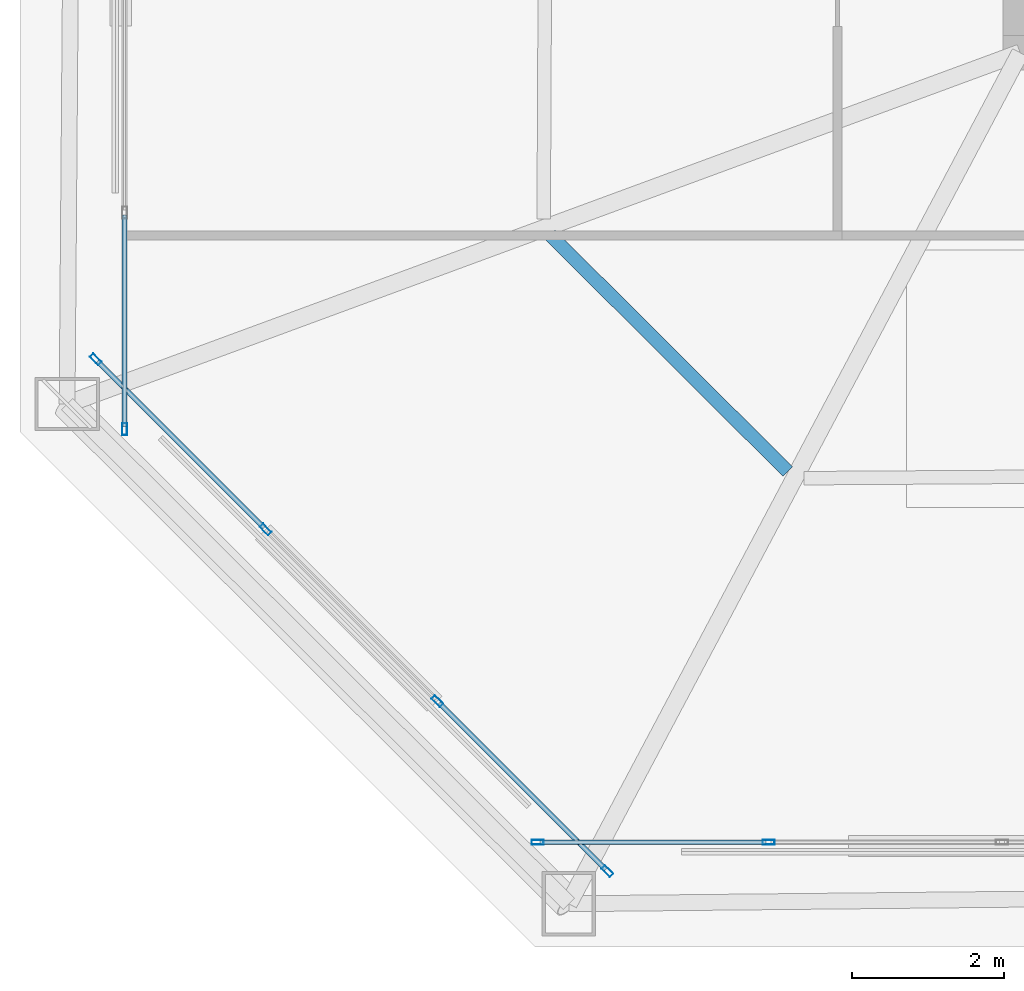
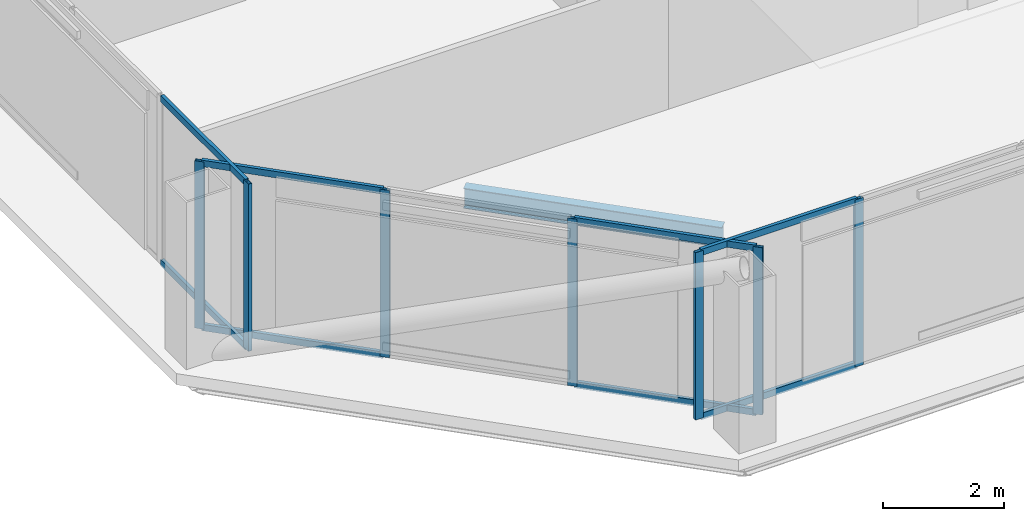
# One storey, part 2 of 39: 15 members, 1 beam, 3 elements without a shape of their own.
"""IFC4 building model written with IfcOpenShell, lengths in metres."""

from ifc_helpers import new_model, si_unit, direction, frame, origin, origin_2d, place, context, subcontext, project, spatial, hollow_rectangle, i_section, extrude, material, layer, layer_set, material_profile, profile_set, type_object, element, aggregate, save


model = new_model("IFC4")

# Units and contexts
model_context = context("Model", 3, precision=1e-05, world=origin(), true_north=direction((0.0, 1.0)))
body_context = subcontext(model_context, "Body", "Model", "MODEL_VIEW")
ifc_project = project(units=[si_unit("LENGTHUNIT", "METRE"), si_unit("AREAUNIT", "SQUARE_METRE"), si_unit("VOLUMEUNIT", "CUBIC_METRE"), si_unit("PLANEANGLEUNIT", "RADIAN"), si_unit("MASSUNIT", "GRAM", prefix="KILO")], contexts=[model_context])

# Site, building, storey
site_placement = place(None, origin())
site = spatial("IfcSite", under=ifc_project, at=site_placement, CompositionType="ELEMENT")
building_placement = place(site_placement, origin())
building = spatial("IfcBuilding", under=site, at=building_placement, Name="Caelvoria Tower", CompositionType="ELEMENT")
storey_placement = place(building_placement, frame((0.0, 0.0, 198.60009765625)))
storey = spatial("IfcBuildingStorey", under=building, at=storey_placement, Name="L52", CompositionType="ELEMENT", Elevation=198.60009765625)

# Curtain wall, members
ifc_material_1 = material(Name="Anodised Bronze Aluminium and Low-E Glass", Category="aluminium")
ifc_layer = layer(ifc_material_1, 0.175048828125, Name="Anodised Bronze Aluminium and Low-E Glass")
ifc_layer_set = layer_set([ifc_layer], Name="CW System 4 High-Zone Tapered Crystal Facade - Anodised Bronze Aluminium and Low-E Glass")
curtain_wall_type = type_object("IfcCurtainWallType", Name="CW System 4 High-Zone Tapered Crystal Facade", PredefinedType="NOTDEFINED", material=ifc_layer_set)
curtain_wall_1_placement = place(storey_placement, origin())
curtain_wall_1 = element("IfcCurtainWall", 1, at=curtain_wall_1_placement, inside=storey, type_object=curtain_wall_type, Name="CW-04 Curtain Wall L52-E0", PredefinedType="NOTDEFINED")
ifc_material_2 = material(Name="Anodised Bronze Architectural Aluminium", Category="aluminium")
ifc_material_profile_1 = material_profile(ifc_material_2, hollow_rectangle(XDim=0.06494140625, YDim=0.159912109375, WallThickness=0.00390625, at=origin_2d()), Name="Anodised Bronze Architectural Aluminium")
ifc_profile_set_1 = profile_set([ifc_material_profile_1], Name="CW_MULL_65X160 - Anodised Bronze Architectural Aluminium")
member_type_1 = type_object("IfcMemberType", Name="Curtain Wall Mullion 65x160 Bronze Aluminium", PredefinedType="MULLION", material=ifc_profile_set_1)
member_1_placement = place(storey_placement, frame((30.632568359375, 13.580078125, 0.0), z_axis=(0.0, 0.0, 1.0), x_axis=(0.0, 1.0, 0.0)))
member_1 = element("IfcMember", 2, at=member_1_placement, type_object=member_type_1, Name="CW-04 mullion 1", PredefinedType="MULLION", context=body_context, shape_type="SweptSolid", body=[
    extrude(hollow_rectangle(XDim=0.06494140625, YDim=0.159912109375, WallThickness=0.00390625, at=origin_2d()), origin(), (0.0, 0.0, 1.0), 3.375),
])
member_2_placement = place(storey_placement, frame((33.679931640625, 13.580078125, 0.0), z_axis=(0.0, 0.0, 1.0), x_axis=(0.0, 1.0, 0.0)))
member_2 = element("IfcMember", 3, at=member_2_placement, type_object=member_type_1, Name="CW-04 mullion 2", PredefinedType="MULLION", context=body_context, shape_type="SweptSolid", body=[
    extrude(hollow_rectangle(XDim=0.06494140625, YDim=0.159912109375, WallThickness=0.00390625, at=origin_2d()), origin(), (0.0, 0.0, 1.0), 3.375),
])

# Curtain wall, member
curtain_wall_2_placement = place(storey_placement, origin())
curtain_wall_2 = element("IfcCurtainWall", 4, at=curtain_wall_2_placement, inside=storey, type_object=curtain_wall_type, Name="CW-04 Curtain Wall L52-E6", PredefinedType="NOTDEFINED")
member_3_placement = place(storey_placement, frame((25.179931640625, 19.032470703125, 0.0), z_axis=(0.0, 0.0, 1.0), x_axis=(1.0, 0.0, 0.0)))
member_3 = element("IfcMember", 5, at=member_3_placement, type_object=member_type_1, Name="CW-04 mullion 10", PredefinedType="MULLION", context=body_context, shape_type="SweptSolid", body=[
    extrude(hollow_rectangle(XDim=0.06494140625, YDim=0.159912109375, WallThickness=0.00390625, at=origin_2d()), origin(), (0.0, 0.0, 1.0), 3.375),
])

# Curtain wall, members
curtain_wall_3_placement = place(storey_placement, origin())
curtain_wall_3 = element("IfcCurtainWall", 6, at=curtain_wall_3_placement, inside=storey, type_object=curtain_wall_type, Name="CW-04 Curtain Wall L52-E7", PredefinedType="NOTDEFINED")
member_4_placement = place(storey_placement, frame((24.798828125, 19.952880859375, 0.0), z_axis=(0.0, 0.0, 1.0), x_axis=(0.707106781187, 0.707106781187, 0.0)))
member_4 = element("IfcMember", 7, at=member_4_placement, type_object=member_type_1, Name="CW-04 mullion 1", PredefinedType="MULLION", context=body_context, shape_type="SweptSolid", body=[
    extrude(hollow_rectangle(XDim=0.06494140625, YDim=0.159912109375, WallThickness=0.00390625, at=origin_2d()), origin(), (0.0, 0.0, 1.0), 3.375),
])
member_5_placement = place(storey_placement, frame((27.04248046875, 17.709228515625, 0.0), z_axis=(0.0, 0.0, 1.0), x_axis=(0.707106781187, 0.707106781187, 0.0)))
member_5 = element("IfcMember", 8, at=member_5_placement, type_object=member_type_1, Name="CW-04 mullion 2", PredefinedType="MULLION", context=body_context, shape_type="SweptSolid", body=[
    extrude(hollow_rectangle(XDim=0.06494140625, YDim=0.159912109375, WallThickness=0.00390625, at=origin_2d()), origin(), (0.0, 0.0, 1.0), 3.375),
])
member_6_placement = place(storey_placement, frame((29.30908203125, 15.4423828125, 0.0), z_axis=(0.0, 0.0, 1.0), x_axis=(0.707106781187, 0.707106781187, 0.0)))
member_6 = element("IfcMember", 9, at=member_6_placement, type_object=member_type_1, Name="CW-04 mullion 3", PredefinedType="MULLION", context=body_context, shape_type="SweptSolid", body=[
    extrude(hollow_rectangle(XDim=0.06494140625, YDim=0.159912109375, WallThickness=0.00390625, at=origin_2d()), origin(), (0.0, 0.0, 1.0), 3.375),
])
member_7_placement = place(storey_placement, frame((31.552734375, 13.19873046875, 0.0), z_axis=(0.0, 0.0, 1.0), x_axis=(0.707106781187, 0.707106781187, 0.0)))
member_7 = element("IfcMember", 10, at=member_7_placement, type_object=member_type_1, Name="CW-04 mullion 4", PredefinedType="MULLION", context=body_context, shape_type="SweptSolid", body=[
    extrude(hollow_rectangle(XDim=0.06494140625, YDim=0.159912109375, WallThickness=0.00390625, at=origin_2d()), origin(), (0.0, 0.0, 1.0), 3.375),
])

# Member
ifc_material_profile_2 = material_profile(ifc_material_2, hollow_rectangle(XDim=0.06494140625, YDim=0.1298828125, WallThickness=0.00341796875, at=origin_2d()), Name="Anodised Bronze Architectural Aluminium")
ifc_profile_set_2 = profile_set([ifc_material_profile_2], Name="CW_TRAN_65X130 - Anodised Bronze Architectural Aluminium")
member_type_2 = type_object("IfcMemberType", Name="Curtain Wall Transom 65x130 Bronze Aluminium", PredefinedType="USERDEFINED", material=ifc_profile_set_2)
member_8_placement = place(storey_placement, frame((30.6650390625, 13.580078125, 0.032470703125), z_axis=(1.0, 0.0, 0.0), x_axis=(0.0, 1.0, 0.0)))
member_8 = element("IfcMember", 11, at=member_8_placement, type_object=member_type_2, Name="CW-04 transom 1.1", ObjectType="TRANSOM", PredefinedType="USERDEFINED", context=body_context, shape_type="SweptSolid", body=[
    extrude(hollow_rectangle(XDim=0.06494140625, YDim=0.1298828125, WallThickness=0.00341796875, at=origin_2d()), origin(), (0.0, 0.0, 1.0), 2.982421875),
])

member_9_placement = place(storey_placement, frame((30.6650390625, 13.580078125, 3.34228515625), z_axis=(1.0, 0.0, 0.0), x_axis=(0.0, 1.0, 0.0)))
member_9 = element("IfcMember", 12, at=member_9_placement, type_object=member_type_2, Name="CW-04 transom 1.2", ObjectType="TRANSOM", PredefinedType="USERDEFINED", context=body_context, shape_type="SweptSolid", body=[
    extrude(hollow_rectangle(XDim=0.06494140625, YDim=0.1298828125, WallThickness=0.00341796875, at=origin_2d()), origin(), (0.0, 0.0, 1.0), 2.982421875),
])

aggregate(curtain_wall_1, [member_1, member_2, member_8, member_9])

member_10_placement = place(storey_placement, frame((25.179931640625, 21.8564453125, 0.032470703125), z_axis=(0.0, -1.0, 0.0), x_axis=(1.0, 0.0, 0.0)))
member_10 = element("IfcMember", 13, at=member_10_placement, type_object=member_type_2, Name="CW-04 transom 9.1", ObjectType="TRANSOM", PredefinedType="USERDEFINED", context=body_context, shape_type="SweptSolid", body=[
    extrude(hollow_rectangle(XDim=0.06494140625, YDim=0.1298828125, WallThickness=0.00341796875, at=origin_2d()), origin(), (0.0, 0.0, 1.0), 2.79150390625),
])

member_11_placement = place(storey_placement, frame((25.179931640625, 21.8564453125, 3.34228515625), z_axis=(0.0, -1.0, 0.0), x_axis=(1.0, 0.0, 0.0)))
member_11 = element("IfcMember", 14, at=member_11_placement, type_object=member_type_2, Name="CW-04 transom 9.2", ObjectType="TRANSOM", PredefinedType="USERDEFINED", context=body_context, shape_type="SweptSolid", body=[
    extrude(hollow_rectangle(XDim=0.06494140625, YDim=0.1298828125, WallThickness=0.00341796875, at=origin_2d()), origin(), (0.0, 0.0, 1.0), 2.79150390625),
])

aggregate(curtain_wall_2, [member_3, member_10, member_11])

member_12_placement = place(storey_placement, frame((24.82177734375, 19.929931640625, 0.032470703125), z_axis=(0.707106781187, -0.707106781187, 0.0), x_axis=(0.707106781187, 0.707106781187, 0.0)))
member_12 = element("IfcMember", 15, at=member_12_placement, type_object=member_type_2, Name="CW-04 transom 1.1", ObjectType="TRANSOM", PredefinedType="USERDEFINED", context=body_context, shape_type="SweptSolid", body=[
    extrude(hollow_rectangle(XDim=0.06494140625, YDim=0.1298828125, WallThickness=0.00341796875, at=origin_2d()), origin(), (0.0, 0.0, 1.0), 3.108154296875),
])

member_13_placement = place(storey_placement, frame((24.82177734375, 19.929931640625, 3.34228515625), z_axis=(0.707106781187, -0.707106781187, 0.0), x_axis=(0.707106781187, 0.707106781187, 0.0)))
member_13 = element("IfcMember", 16, at=member_13_placement, type_object=member_type_2, Name="CW-04 transom 1.2", ObjectType="TRANSOM", PredefinedType="USERDEFINED", context=body_context, shape_type="SweptSolid", body=[
    extrude(hollow_rectangle(XDim=0.06494140625, YDim=0.1298828125, WallThickness=0.00341796875, at=origin_2d()), origin(), (0.0, 0.0, 1.0), 3.108154296875),
])

member_14_placement = place(storey_placement, frame((29.33203125, 15.41943359375, 0.032470703125), z_axis=(0.707106781187, -0.707106781187, 0.0), x_axis=(0.707106781187, 0.707106781187, 0.0)))
member_14 = element("IfcMember", 17, at=member_14_placement, type_object=member_type_2, Name="CW-04 transom 3.1", ObjectType="TRANSOM", PredefinedType="USERDEFINED", context=body_context, shape_type="SweptSolid", body=[
    extrude(hollow_rectangle(XDim=0.06494140625, YDim=0.1298828125, WallThickness=0.00341796875, at=origin_2d()), origin(), (0.0, 0.0, 1.0), 3.108154296875),
])

member_15_placement = place(storey_placement, frame((29.33203125, 15.41943359375, 3.34228515625), z_axis=(0.707106781187, -0.707106781187, 0.0), x_axis=(0.707106781187, 0.707106781187, 0.0)))
member_15 = element("IfcMember", 18, at=member_15_placement, type_object=member_type_2, Name="CW-04 transom 3.2", ObjectType="TRANSOM", PredefinedType="USERDEFINED", context=body_context, shape_type="SweptSolid", body=[
    extrude(hollow_rectangle(XDim=0.06494140625, YDim=0.1298828125, WallThickness=0.00341796875, at=origin_2d()), origin(), (0.0, 0.0, 1.0), 3.108154296875),
])

aggregate(curtain_wall_3, [member_4, member_5, member_6, member_7, member_12, member_13, member_14, member_15])

# Beam
ifc_material_3 = material(Name="Structural Steel ASTM A992 Gr.50", Category="steel")
ifc_material_profile_3 = material_profile(ifc_material_3, i_section(OverallWidth=0.177978515625, OverallDepth=0.406982421875, WebThickness=0.0078125, FlangeThickness=0.0126953125, FilletRadius=0.013916015625, at=origin_2d()), Name="Structural Steel ASTM A992 Gr.50")
ifc_profile_set_3 = profile_set([ifc_material_profile_3], Name="W410X60 - Structural Steel ASTM A992 Gr.50")
beam_type = type_object("IfcBeamType", Name="Secondary Floor Beam W410X60", PredefinedType="BEAM", material=ifc_profile_set_3)
beam_placement = place(storey_placement, frame((30.79931640625, 21.59375, -0.4287109375), z_axis=(0.708430431298, -0.705780648652, 0.0), x_axis=(0.705780648652, 0.708430431298, 0.0)))
element("IfcBeam", 19, at=beam_placement, inside=storey, type_object=beam_type, Name="Secondary Floor Beam L52-11", PredefinedType="BEAM", context=body_context, shape_type="SweptSolid", body=[
    extrude(i_section(OverallWidth=0.177978515625, OverallDepth=0.406982421875, WebThickness=0.0078125, FlangeThickness=0.0126953125, FilletRadius=0.013916015625, at=origin_2d()), origin(), (0.0, 0.0, 1.0), 4.422607421875),
])

save(model, "model.ifc")
